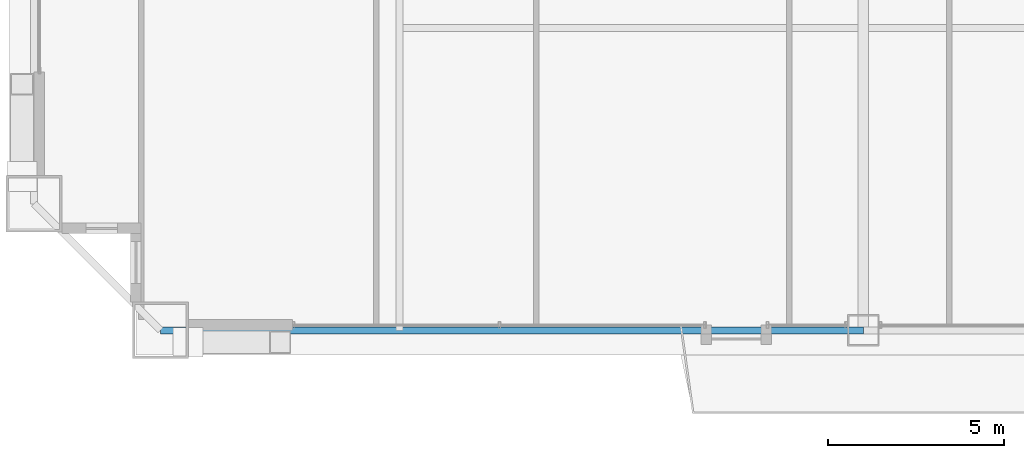
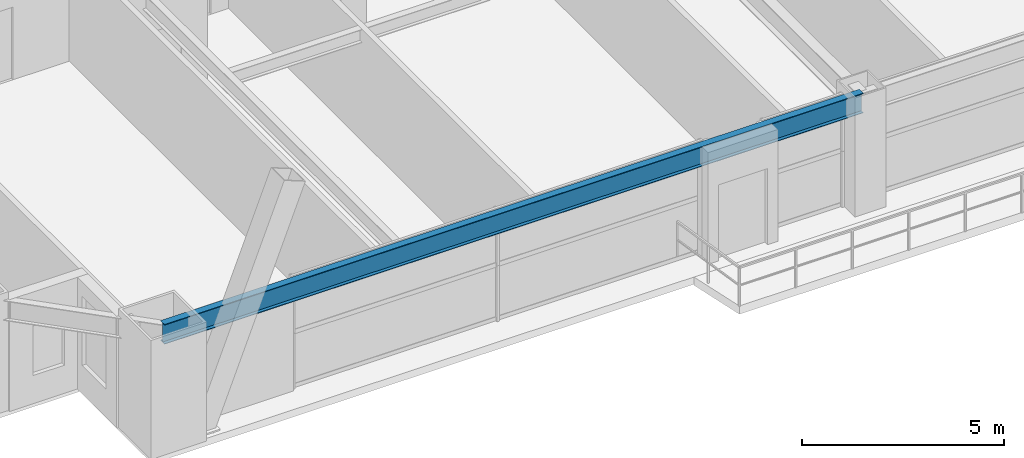
# One storey, part 4 of 43: 1 beam.
"""IFC4 building model written with IfcOpenShell, lengths in metres."""

from ifc_helpers import new_model, si_unit, direction, frame, origin, origin_2d, place, context, subcontext, project, spatial, i_section, extrude, source, transform, mapped, material, material_profile, profile_set, type_object, element, save


model = new_model("IFC4")

# Units and contexts
model_context = context("Model", 3, precision=1e-05, world=origin(), true_north=direction((0.0, 1.0)))
body_context = subcontext(model_context, "Body", "Model", "MODEL_VIEW")
ifc_project = project(units=[si_unit("LENGTHUNIT", "METRE"), si_unit("AREAUNIT", "SQUARE_METRE"), si_unit("VOLUMEUNIT", "CUBIC_METRE"), si_unit("PLANEANGLEUNIT", "RADIAN"), si_unit("MASSUNIT", "GRAM", prefix="KILO"), si_unit("THERMODYNAMICTEMPERATUREUNIT", "KELVIN"), si_unit("POWERUNIT", "WATT")], contexts=[model_context])

# Site, building, storey
site_placement = place(None, origin())
site = spatial("IfcSite", under=ifc_project, at=site_placement, CompositionType="ELEMENT")
building_placement = place(site_placement, origin())
building = spatial("IfcBuilding", under=site, at=building_placement, Name="Yuzanri Waterfront Tower", CompositionType="ELEMENT")
storey_placement = place(building_placement, frame((0.0, 0.0, 93.800048828125)))
storey = spatial("IfcBuildingStorey", under=building, at=storey_placement, Name="L24", CompositionType="ELEMENT", Elevation=93.800048828125)

# Beam
ifc_material = material(Name="Steel Q355B", Category="steel")
ifc_material_profile = material_profile(ifc_material, i_section(OverallWidth=0.199951171875, OverallDepth=0.60009765625, WebThickness=0.010986328125, FlangeThickness=0.01708984375, at=origin_2d()), Name="HN 600x200x11x17")
ifc_profile_set = profile_set([ifc_material_profile], Name="Steel Q355B")
beam_type = type_object("IfcBeamType", Name="Perimeter Spandrel Q355B HN 600x200", PredefinedType="SPANDREL", material=ifc_profile_set)
shared_shape = source(origin(), body_context, "Body", "SweptSolid", [
    extrude(i_section(OverallWidth=0.199951171875, OverallDepth=0.60009765625, WebThickness=0.010986328125, FlangeThickness=0.01708984375, at=origin_2d()), origin(), (0.0, 0.0, 1.0), 20.0),
])
beam_placement = place(storey_placement, frame((17.0, 2.199951171875, 3.079833984375), z_axis=(1.0, 0.0, 0.0), x_axis=(0.0, 1.0, 0.0)))
element("IfcBeam", 1, at=beam_placement, inside=storey, type_object=beam_type, Name="L24 Perimeter Spandrel S1-S2", PredefinedType="SPANDREL", context=body_context, shape_type="MappedRepresentation", body=[
    mapped(shared_shape, transform((0.0, 0.0, 0.0), scale=1.0)),
])

save(model, "model.ifc")
